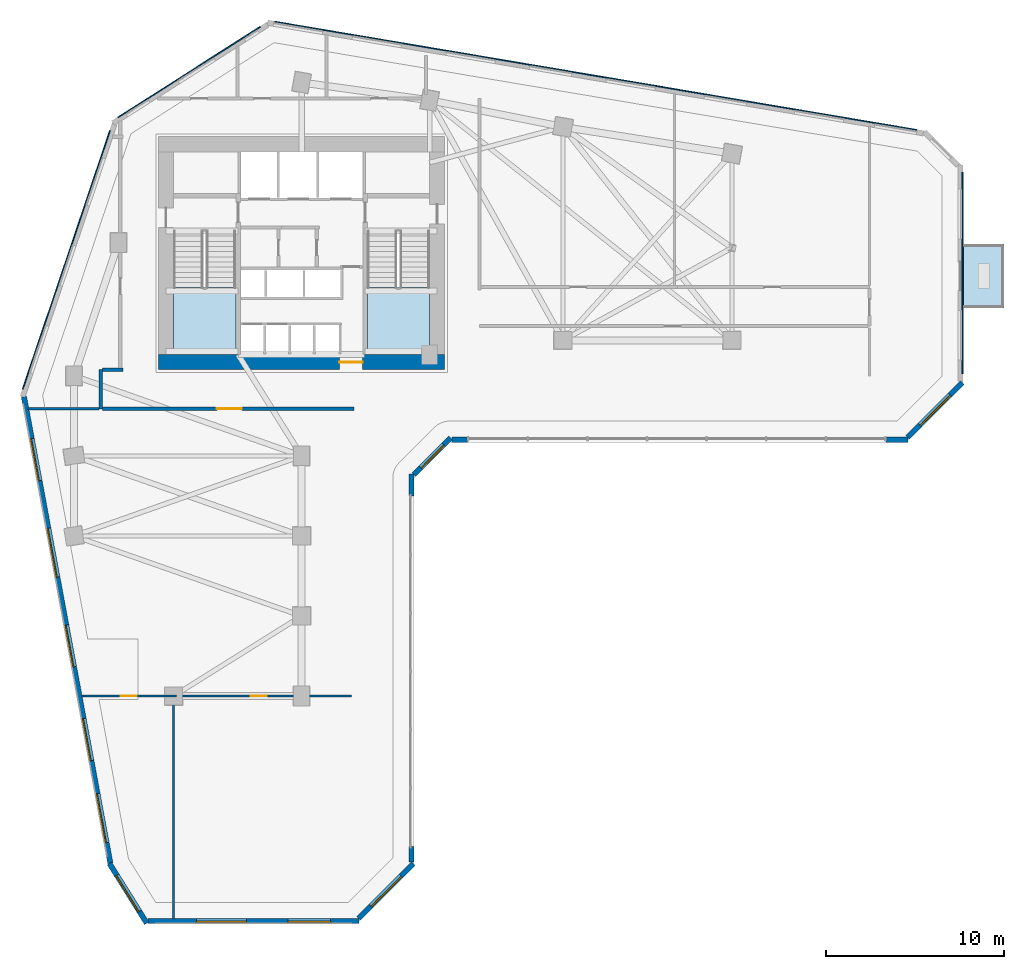
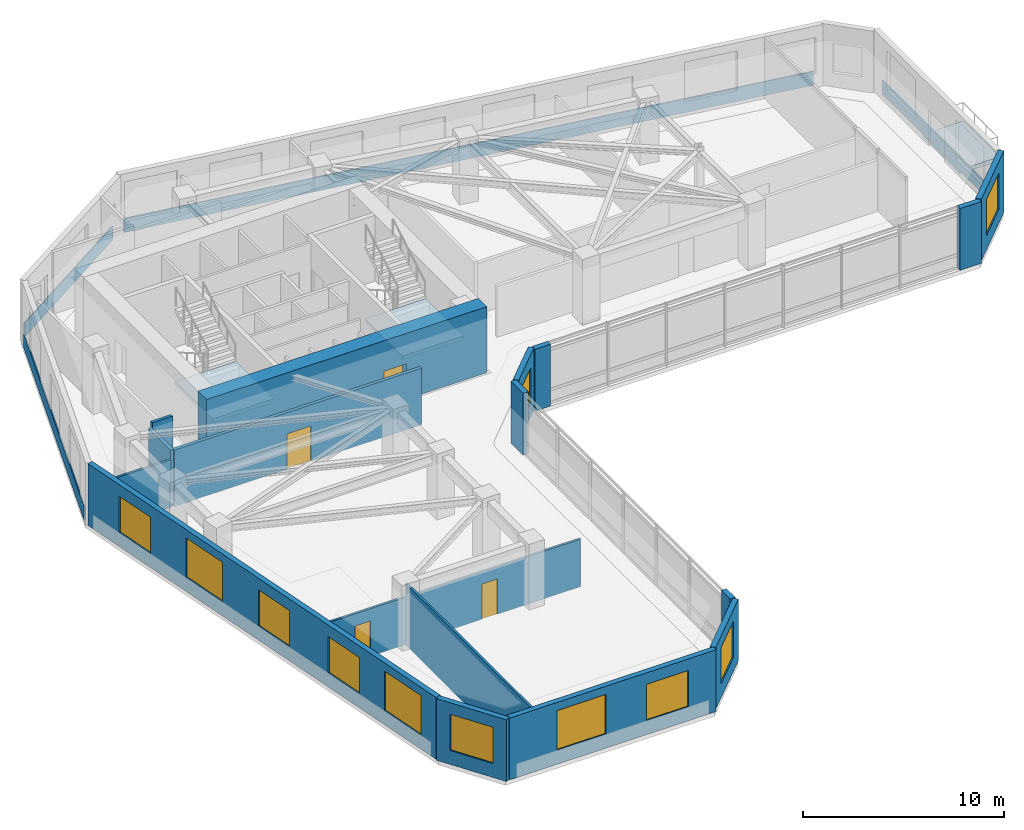
# One storey, part 5 of 11: 18 walls, 11 windows, 4 doors, 4 plates, 3 slabs, 15 openings, 2 elements without a shape of their own.
"""IFC4 building model written with IfcOpenShell, lengths in metres."""

from ifc_helpers import new_model, si_unit, direction, frame, frame_2d, origin, place, context, subcontext, project, spatial, polyline, rectangle, outline, extrude, source, transform, mapped, material, layer, layer_set, type_object, element, fill, aggregate, save


model = new_model("IFC4")

# Units and contexts
model_context = context("Model", 3, precision=1e-05, world=origin(), true_north=direction((0.0, 1.0)))
body_context = subcontext(model_context, "Body", "Model", "MODEL_VIEW")
ifc_project = project(units=[si_unit("LENGTHUNIT", "METRE"), si_unit("AREAUNIT", "SQUARE_METRE"), si_unit("VOLUMEUNIT", "CUBIC_METRE"), si_unit("PLANEANGLEUNIT", "RADIAN"), si_unit("MASSUNIT", "GRAM", prefix="KILO")], contexts=[model_context])

# Site, building, storey
site_placement = place(None, origin())
site = spatial("IfcSite", under=ifc_project, at=site_placement, CompositionType="ELEMENT")
building_placement = place(site_placement, origin())
building = spatial("IfcBuilding", under=site, at=building_placement, Name="Calvemar Wedge Station Tower", CompositionType="ELEMENT")
storey_placement = place(building_placement, frame((0.0, 0.0, 35.0)))
storey = spatial("IfcBuildingStorey", under=building, at=storey_placement, Name="L08", CompositionType="ELEMENT", Elevation=35.0)

# Plates
ifc_material_1 = material(Name="Precast concrete C45", Category="concrete")
ifc_layer_1 = layer(ifc_material_1, 0.06494140625)
ifc_layer_set_1 = layer_set([ifc_layer_1], Name="Precast concrete C45")
plate_type = type_object("IfcPlateType", Name="PL-GFRC-FIN", PredefinedType="USERDEFINED", material=ifc_layer_set_1)
plate_1_placement = place(storey_placement, frame((60.969970703125, 33.1171875, 0.0), z_axis=(0.0, 0.0, 1.0), x_axis=(0.0, 1.0, 0.0)))
element("IfcPlate", 1, at=plate_1_placement, inside=storey, type_object=plate_type, Name="Storey L08 Oxidized-Bronze GFRC Spandrel Cladding 8", ObjectType="CLADDING PANEL", PredefinedType="USERDEFINED", context=body_context, shape_type="SweptSolid", body=[
    extrude(rectangle(XDim=11.330810546875, YDim=0.06494140625, at=frame_2d((5.66552734375, 0.0))), origin(), (0.0, 0.0, 1.0), 0.85009765625),
])
plate_2_placement = place(storey_placement, frame((58.38623046875, 46.8330078125, 0.0), z_axis=(0.0, 0.0, 1.0), x_axis=(-0.98607512962, 0.16630044722, 0.0)))
element("IfcPlate", 2, at=plate_2_placement, inside=storey, type_object=plate_type, Name="Storey L08 Oxidized-Bronze GFRC Spandrel Cladding 10", ObjectType="CLADDING PANEL", PredefinedType="USERDEFINED", context=body_context, shape_type="SweptSolid", body=[
    extrude(rectangle(XDim=36.597412109375, YDim=0.06494140625, at=frame_2d((18.298828125, 0.0))), origin(), (0.0, 0.0, 1.0), 0.85009765625),
])
plate_3_placement = place(storey_placement, frame((21.47314453125, 52.62939453125, 0.0), z_axis=(0.0, 0.0, 1.0), x_axis=(-0.843651948102, -0.536890482747, 0.0)))
element("IfcPlate", 3, at=plate_3_placement, inside=storey, type_object=plate_type, Name="Storey L08 Oxidized-Bronze GFRC Spandrel Cladding 11", ObjectType="CLADDING PANEL", PredefinedType="USERDEFINED", context=body_context, shape_type="SweptSolid", body=[
    extrude(rectangle(XDim=9.484375, YDim=0.06494140625, at=frame_2d((4.7421875, 0.0))), origin(), (0.0, 0.0, 1.0), 0.85009765625),
])
plate_4_placement = place(storey_placement, frame((13.02685546875, 46.793212890625, 0.0), z_axis=(0.0, 0.0, 1.0), x_axis=(-0.319926926958, -0.947442220617, 0.0)))
element("IfcPlate", 4, at=plate_4_placement, inside=storey, type_object=plate_type, Name="Storey L08 Oxidized-Bronze GFRC Spandrel Cladding 12", ObjectType="CLADDING PANEL", PredefinedType="USERDEFINED", context=body_context, shape_type="SweptSolid", body=[
    extrude(rectangle(XDim=15.334716796875, YDim=0.06494140625, at=frame_2d((7.66748046875, 0.0))), origin(), (0.0, 0.0, 1.0), 0.85009765625),
])

# Stair, slab
ifc_material_2 = material(Name="Concrete C45", Category="concrete")
stair_type = type_object("IfcStairType", Name="ST-TYPE-4000", PredefinedType="HALF_TURN_STAIR", material=ifc_material_2)
stair_1_placement = place(storey_placement, origin())
stair_1 = element("IfcStair", 5, at=stair_1_placement, inside=storey, type_object=stair_type, Name="L08 Pressurized Core Exit Stair ST-C1", PredefinedType="HALF_TURN_STAIR")
ifc_layer_2 = layer(ifc_material_2, 0.199951171875)
ifc_layer_set_2 = layer_set([ifc_layer_2], Name="Concrete C45")
slab_type_1 = type_object("IfcSlabType", Name="SL-STAIR-LND-200", PredefinedType="LANDING", material=ifc_layer_set_2)
slab_1_placement = place(storey_placement, frame((0.0, 0.0, 1.800048828125)))
slab_1 = element("IfcSlab", 6, at=slab_1_placement, type_object=slab_type_1, Name="ST-C1 landing 1", PredefinedType="LANDING", context=body_context, shape_type="SweptSolid", body=[
    extrude(outline(polyline([(16.60009765625, 37.9599609375), (16.60009765625, 34.199951171875), (20.10009765625, 34.199951171875), (20.10009765625, 37.9599609375), (16.60009765625, 37.9599609375)])), origin(), (0.0, 0.0, 1.0), 0.199951171875),
])
aggregate(stair_1, [slab_1])

stair_2_placement = place(storey_placement, origin())
stair_2 = element("IfcStair", 7, at=stair_2_placement, inside=storey, type_object=stair_type, Name="L08 Pressurized Core Exit Stair ST-C2", PredefinedType="HALF_TURN_STAIR")
slab_2_placement = place(storey_placement, frame((0.0, 0.0, 1.800048828125)))
slab_2 = element("IfcSlab", 8, at=slab_2_placement, type_object=slab_type_1, Name="ST-C2 landing 1", PredefinedType="LANDING", context=body_context, shape_type="SweptSolid", body=[
    extrude(outline(polyline([(27.5, 37.9599609375), (27.5, 34.199951171875), (31.0, 34.199951171875), (31.0, 37.9599609375), (27.5, 37.9599609375)])), origin(), (0.0, 0.0, 1.0), 0.199951171875),
])
aggregate(stair_2, [slab_2])

# Slab
ifc_layer_3 = layer(ifc_material_2, 0.239990234375)
ifc_layer_set_3 = layer_set([ifc_layer_3], Name="Concrete C45")
slab_type_2 = type_object("IfcSlabType", Name="SL-TERR-240", PredefinedType="FLOOR", material=ifc_layer_set_3)
slab_3_placement = place(storey_placement, frame((0.0, 0.0, -0.239990234375)))
element("IfcSlab", 9, at=slab_3_placement, inside=storey, type_object=slab_type_2, Name="Storey L08 Planted Spiral Terrace Slab", PredefinedType="FLOOR", context=body_context, shape_type="SweptSolid", body=[
    extrude(outline(polyline([(61.0, 36.81005859375), (63.300048828125, 36.81005859375), (63.300048828125, 40.409912109375), (61.0, 40.409912109375), (61.0, 36.81005859375)])), origin(), (0.0, 0.0, 1.0), 0.239990234375),
])

# Wall, opening, door
ifc_material_3 = material(Name="Concrete C80", Category="concrete")
ifc_layer_4 = layer(ifc_material_3, 0.85009765625)
ifc_layer_set_4 = layer_set([ifc_layer_4], Name="Concrete C80")
wall_type_1 = type_object("IfcWallType", Name="SW-CORE-850", PredefinedType="SHEAR", material=ifc_layer_set_4)
wall_1_placement = place(storey_placement, frame((15.75, 33.77490234375, 0.0), z_axis=(0.0, 0.0, 1.0), x_axis=(1.0, 0.0, 0.0)))
wall_1 = element("IfcWall", 10, at=wall_1_placement, inside=storey, type_object=wall_type_1, Name="Storey L08 Core Shear Wall S", PredefinedType="SHEAR", context=body_context, shape_type="SweptSolid", body=[
    extrude(rectangle(XDim=16.10009765625, YDim=0.85009765625, at=frame_2d((8.050048828125, 0.0))), origin(), (0.0, 0.0, 1.0), 4.0),
])
shared_shape_1 = source(origin(), body_context, "Body", "SweptSolid", [
    extrude(rectangle(XDim=1.300048828125, YDim=2.14990234375, at=frame_2d((0.64990234375, 1.074951171875))), frame((0.0, 0.43505859375, 0.0), z_axis=(0.0, -1.0, 0.0), x_axis=(1.0, 0.0, 0.0)), (0.0, 0.0, 1.0), 0.8701171875),
])
opening_1_placement = place(wall_1_placement, frame((10.179931640625, 0.0, 0.0)))
opening_1 = element("IfcOpeningElement", 11, at=opening_1_placement, cuts=wall_1, Name="Opening DD-130", PredefinedType="OPENING", context=body_context, shape_type="MappedRepresentation", body=[
    mapped(shared_shape_1, transform((0.0, 0.0, 0.0), scale=1.0)),
])
ifc_material_4 = material(Name="Double-leaf lift lobby fire door EI 60")
door_type_1 = type_object("IfcDoorType", Name="DR-DBL-1300", OperationType="DOUBLE_DOOR_SINGLE_SWING", PredefinedType="DOOR", material=ifc_material_4)
shared_shape_2 = source(origin(), body_context, "Body", "SweptSolid", [
    extrude(rectangle(XDim=1.300048828125, YDim=2.14990234375, at=frame_2d((0.64990234375, 1.074951171875))), frame((0.0, 0.02490234375, 0.0), z_axis=(0.0, -1.0, 0.0), x_axis=(1.0, 0.0, 0.0)), (0.0, 0.0, 1.0), 0.050048828125),
])
door_1_placement = place(opening_1_placement, origin())
door_1 = element("IfcDoor", 12, at=door_1_placement, inside=storey, type_object=door_type_1, Name="L08 Passenger Lift Lobby Door", OperationType="DOUBLE_DOOR_SINGLE_SWING", OverallHeight=2.14990234375, OverallWidth=1.300048828125, PredefinedType="DOOR", context=body_context, shape_type="MappedRepresentation", body=[
    mapped(shared_shape_2, transform((0.0, 0.0, 0.0), scale=1.0)),
])
fill(opening_1, door_1)

# Walls
ifc_material_5 = material(Name="Double-stud fire-rated corridor partition")
ifc_layer_5 = layer(ifc_material_5, 0.179931640625)
ifc_layer_set_5 = layer_set([ifc_layer_5], Name="Double-stud fire-rated corridor partition")
wall_type_2 = type_object("IfcWallType", Name="W-CORR-180", PredefinedType="PARTITIONING", material=ifc_layer_set_5)
wall_2_placement = place(storey_placement, frame((12.5, 31.14990234375, 0.0), z_axis=(0.0, 0.0, 1.0), x_axis=(0.0, 1.0, 0.0)))
element("IfcWall", 13, at=wall_2_placement, inside=storey, type_object=wall_type_2, Name="Storey L08 Interior Partition WL-L08-006", PredefinedType="PARTITIONING", context=body_context, shape_type="SweptSolid", body=[
    extrude(rectangle(XDim=2.2001953125, YDim=0.179931640625, at=frame_2d((1.10009765625, 0.0))), origin(), (0.0, 0.0, 1.0), 3.43408203125),
])
wall_3_placement = place(storey_placement, frame((12.593994140625, 33.35009765625, 0.0), z_axis=(0.0, 0.0, 1.0), x_axis=(1.0, 0.0, 0.0)))
element("IfcWall", 14, at=wall_3_placement, inside=storey, type_object=wall_type_2, Name="Storey L08 Interior Partition WL-L08-007", PredefinedType="PARTITIONING", context=body_context, shape_type="SweptSolid", body=[
    extrude(rectangle(XDim=1.166015625, YDim=0.179931640625, at=frame_2d((0.5830078125, 0.0))), origin(), (0.0, 0.0, 1.0), 3.75),
])

# Wall, opening, door
wall_4_placement = place(storey_placement, frame((26.760009765625, 31.14990234375, 0.0), z_axis=(0.0, 0.0, 1.0), x_axis=(-1.0, 0.0, 0.0)))
wall_4 = element("IfcWall", 15, at=wall_4_placement, inside=storey, type_object=wall_type_2, Name="Storey L08 Interior Partition WL-L08-008", PredefinedType="PARTITIONING", context=body_context, shape_type="SweptSolid", body=[
    extrude(rectangle(XDim=14.166015625, YDim=0.179931640625, at=frame_2d((7.0830078125, 0.0))), origin(), (0.0, 0.0, 1.0), 3.43408203125),
])
shared_shape_3 = source(origin(), body_context, "Body", "SweptSolid", [
    extrude(rectangle(XDim=1.39990234375, YDim=2.14990234375, at=frame_2d((0.699951171875, 1.074951171875))), frame((0.0, 0.10009765625, 0.0), z_axis=(0.0, -1.0, 0.0), x_axis=(1.0, 0.0, 0.0)), (0.0, 0.0, 1.0), 0.199951171875),
])
opening_2_placement = place(wall_4_placement, frame((6.322509765625, 0.0, 0.0)))
opening_2 = element("IfcOpeningElement", 16, at=opening_2_placement, cuts=wall_4, Name="Opening DD-140", PredefinedType="OPENING", context=body_context, shape_type="MappedRepresentation", body=[
    mapped(shared_shape_3, transform((0.0, 0.0, 0.0), scale=1.0)),
])
ifc_material_6 = material(Name="Double-leaf corridor acoustic fire door EI 60")
door_type_2 = type_object("IfcDoorType", Name="DR-DBL-1400", OperationType="DOUBLE_DOOR_SINGLE_SWING", PredefinedType="DOOR", material=ifc_material_6)
shared_shape_4 = source(origin(), body_context, "Body", "SweptSolid", [
    extrude(rectangle(XDim=1.39990234375, YDim=2.14990234375, at=frame_2d((0.699951171875, 1.074951171875))), frame((0.0, 0.02490234375, 0.0), z_axis=(0.0, -1.0, 0.0), x_axis=(1.0, 0.0, 0.0)), (0.0, 0.0, 1.0), 0.050048828125),
])
door_2_placement = place(opening_2_placement, origin())
door_2 = element("IfcDoor", 17, at=door_2_placement, inside=storey, type_object=door_type_2, Name="L08 Co-Working Studio Door", OperationType="SINGLE_SWING_RIGHT", OverallHeight=2.14990234375, OverallWidth=1.39990234375, PredefinedType="DOOR", context=body_context, shape_type="MappedRepresentation", body=[
    mapped(shared_shape_4, transform((0.0, 0.0, 0.0), scale=1.0)),
])
fill(opening_2, door_2)

# Wall, opening, window
ifc_layer_6 = layer(ifc_material_1, 0.300048828125)
ifc_layer_set_6 = layer_set([ifc_layer_6], Name="Precast concrete C45")
wall_type_3 = type_object("IfcWallType", Name="W-EXT-GFRC-300", PredefinedType="SOLIDWALL", material=ifc_layer_set_6)
wall_5_placement = place(storey_placement, frame((12.99072265625, 5.58251953125, 0.0), z_axis=(0.0, 0.0, 1.0), x_axis=(0.530015557218, -0.847987918019, 0.0)))
wall_5 = element("IfcWall", 18, at=wall_5_placement, inside=storey, type_object=wall_type_3, Name="Storey L08 Bronze GFRC Exterior Wall 1", PredefinedType="SOLIDWALL", context=body_context, shape_type="SweptSolid", body=[
    extrude(rectangle(XDim=3.9619140625, YDim=0.300048828125, at=frame_2d((1.98095703125, 0.0))), origin(), (0.0, 0.0, 1.0), 3.75),
])
shared_shape_5 = source(origin(), body_context, "Body", "SweptSolid", [
    extrude(rectangle(XDim=2.39990234375, YDim=2.199951171875, at=frame_2d((1.199951171875, 1.10009765625))), frame((0.0, 0.16015625, 0.0), z_axis=(0.0, -1.0, 0.0), x_axis=(1.0, 0.0, 0.0)), (0.0, 0.0, 1.0), 0.320068359375),
])
opening_3_placement = place(wall_5_placement, frame((0.781005859375, 0.0, 0.85009765625)))
opening_3 = element("IfcOpeningElement", 19, at=opening_3_placement, cuts=wall_5, Name="Opening W1", PredefinedType="OPENING", context=body_context, shape_type="MappedRepresentation", body=[
    mapped(shared_shape_5, transform((0.0, 0.0, 0.0), scale=1.0)),
])
ifc_material_7 = material(Name="Low-E laminated insulated glass", Category="glass")
window_type_1 = type_object("IfcWindowType", Name="WIN-EXT-1", PartitioningType="SINGLE_PANEL", PredefinedType="WINDOW", material=ifc_material_7)
shared_shape_6 = source(origin(), body_context, "Body", "SweptSolid", [
    extrude(rectangle(XDim=2.39990234375, YDim=2.199951171875, at=frame_2d((1.199951171875, 1.10009765625))), frame((0.0, -0.014892578125, 0.0), z_axis=(0.0, -1.0, 0.0), x_axis=(1.0, 0.0, 0.0)), (0.0, 0.0, 1.0), 0.06005859375),
])
window_1_placement = place(opening_3_placement, origin())
window_1 = element("IfcWindow", 20, at=window_1_placement, inside=storey, type_object=window_type_1, Name="Storey L08 Recessed Window 1.1", OverallHeight=2.199951171875, OverallWidth=2.39990234375, PartitioningType="SINGLE_PANEL", PredefinedType="WINDOW", context=body_context, shape_type="MappedRepresentation", body=[
    mapped(shared_shape_6, transform((0.0, 0.0, 0.0), scale=1.0)),
])
fill(opening_3, window_1)

# Wall, openings, windows
wall_6_placement = place(storey_placement, frame((15.173828125, 2.35009765625, 0.0), z_axis=(0.0, 0.0, 1.0), x_axis=(1.0, 0.0, 0.0)))
wall_6 = element("IfcWall", 21, at=wall_6_placement, inside=storey, type_object=wall_type_3, Name="Storey L08 Bronze GFRC Exterior Wall 2", PredefinedType="SOLIDWALL", context=body_context, shape_type="SweptSolid", body=[
    extrude(rectangle(XDim=11.842041015625, YDim=0.300048828125, at=frame_2d((5.9208984375, 0.0))), origin(), (0.0, 0.0, 1.0), 3.75),
])
shared_shape_7 = source(origin(), body_context, "Body", "SweptSolid", [
    extrude(rectangle(XDim=2.800048828125, YDim=2.39990234375, at=frame_2d((1.39990234375, 1.199951171875))), frame((0.0, 0.16015625, 0.0), z_axis=(0.0, -1.0, 0.0), x_axis=(1.0, 0.0, 0.0)), (0.0, 0.0, 1.0), 0.320068359375),
])
opening_4_placement = place(wall_6_placement, frame((2.715087890625, 0.0, 0.85009765625)))
opening_4 = element("IfcOpeningElement", 22, at=opening_4_placement, cuts=wall_6, Name="Opening W6", PredefinedType="OPENING", context=body_context, shape_type="MappedRepresentation", body=[
    mapped(shared_shape_7, transform((0.0, 0.0, 0.0), scale=1.0)),
])
opening_5_placement = place(wall_6_placement, frame((7.85302734375, 0.0, 0.85009765625)))
opening_5 = element("IfcOpeningElement", 23, at=opening_5_placement, cuts=wall_6, Name="Opening W1", PredefinedType="OPENING", context=body_context, shape_type="MappedRepresentation", body=[
    mapped(shared_shape_5, transform((0.0, 0.0, 0.0), scale=1.0)),
])
window_type_2 = type_object("IfcWindowType", Name="WIN-EXT-6", PartitioningType="SINGLE_PANEL", PredefinedType="WINDOW", material=ifc_material_7)
shared_shape_8 = source(origin(), body_context, "Body", "SweptSolid", [
    extrude(rectangle(XDim=2.800048828125, YDim=2.39990234375, at=frame_2d((1.39990234375, 1.199951171875))), frame((0.0, -0.014892578125, 0.0), z_axis=(0.0, -1.0, 0.0), x_axis=(1.0, 0.0, 0.0)), (0.0, 0.0, 1.0), 0.06005859375),
])
window_2_placement = place(opening_4_placement, origin())
window_2 = element("IfcWindow", 24, at=window_2_placement, inside=storey, type_object=window_type_2, Name="Storey L08 Recessed Window 2.1", OverallHeight=2.39990234375, OverallWidth=2.800048828125, PartitioningType="SINGLE_PANEL", PredefinedType="WINDOW", context=body_context, shape_type="MappedRepresentation", body=[
    mapped(shared_shape_8, transform((0.0, 0.0, 0.0), scale=1.0)),
])
fill(opening_4, window_2)
window_3_placement = place(opening_5_placement, origin())
window_3 = element("IfcWindow", 25, at=window_3_placement, inside=storey, type_object=window_type_1, Name="Storey L08 Recessed Window 2.2", OverallHeight=2.199951171875, OverallWidth=2.39990234375, PartitioningType="SINGLE_PANEL", PredefinedType="WINDOW", context=body_context, shape_type="MappedRepresentation", body=[
    mapped(shared_shape_6, transform((0.0, 0.0, 0.0), scale=1.0)),
])
fill(opening_5, window_3)

# Wall, opening, window
wall_7_placement = place(storey_placement, frame((27.00390625, 2.488037109375, 0.0), z_axis=(0.0, 0.0, 1.0), x_axis=(0.707106781187, 0.707106781187, 0.0)))
wall_7 = element("IfcWall", 26, at=wall_7_placement, inside=storey, type_object=wall_type_3, Name="Storey L08 Bronze GFRC Exterior Wall 3", PredefinedType="SOLIDWALL", context=body_context, shape_type="SweptSolid", body=[
    extrude(rectangle(XDim=4.35595703125, YDim=0.300048828125, at=frame_2d((2.177978515625, 0.0))), origin(), (0.0, 0.0, 1.0), 3.75),
])
opening_6_placement = place(wall_7_placement, frame((0.97802734375, 0.0, 0.85009765625)))
opening_6 = element("IfcOpeningElement", 27, at=opening_6_placement, cuts=wall_7, Name="Opening W1", PredefinedType="OPENING", context=body_context, shape_type="MappedRepresentation", body=[
    mapped(shared_shape_5, transform((0.0, 0.0, 0.0), scale=1.0)),
])
window_4_placement = place(opening_6_placement, origin())
window_4 = element("IfcWindow", 28, at=window_4_placement, inside=storey, type_object=window_type_1, Name="Storey L08 Recessed Window 3.1", OverallHeight=2.199951171875, OverallWidth=2.39990234375, PartitioningType="SINGLE_PANEL", PredefinedType="WINDOW", context=body_context, shape_type="MappedRepresentation", body=[
    mapped(shared_shape_6, transform((0.0, 0.0, 0.0), scale=1.0)),
])
fill(opening_6, window_4)

# Walls
wall_8_placement = place(storey_placement, frame((29.97802734375, 5.6572265625, 0.0), z_axis=(0.0, 0.0, 1.0), x_axis=(0.0, 1.0, 0.0)))
element("IfcWall", 29, at=wall_8_placement, inside=storey, type_object=wall_type_3, Name="Storey L08 Bronze GFRC Corner Pier 4A", PredefinedType="SOLIDWALL", context=body_context, shape_type="SweptSolid", body=[
    extrude(rectangle(XDim=0.8798828125, YDim=0.300048828125, at=frame_2d((0.43994140625, 0.0))), origin(), (0.0, 0.0, 1.0), 3.75),
])
wall_9_placement = place(storey_placement, frame((29.97802734375, 26.2470703125, 0.0), z_axis=(0.0, 0.0, 1.0), x_axis=(0.0, 1.0, 0.0)))
element("IfcWall", 30, at=wall_9_placement, inside=storey, type_object=wall_type_3, Name="Storey L08 Bronze GFRC Corner Pier 4B", PredefinedType="SOLIDWALL", context=body_context, shape_type="SweptSolid", body=[
    extrude(rectangle(XDim=1.22509765625, YDim=0.300048828125, at=frame_2d((0.612548828125, 0.0))), origin(), (0.0, 0.0, 1.0), 3.75),
])

# Wall, opening, window
wall_10_placement = place(storey_placement, frame((30.115966796875, 27.460205078125, 0.0), z_axis=(0.0, 0.0, 1.0), x_axis=(0.707106781187, 0.707106781187, 0.0)))
wall_10 = element("IfcWall", 31, at=wall_10_placement, inside=storey, type_object=wall_type_3, Name="Storey L08 Bronze GFRC Exterior Wall 5", PredefinedType="SOLIDWALL", context=body_context, shape_type="SweptSolid", body=[
    extrude(rectangle(XDim=2.907470703125, YDim=0.300048828125, at=frame_2d((1.45361328125, 0.0))), origin(), (0.0, 0.0, 1.0), 3.75),
])
shared_shape_9 = source(origin(), body_context, "Body", "SweptSolid", [
    extrude(rectangle(XDim=1.800048828125, YDim=2.10009765625, at=frame_2d((0.89990234375, 1.050048828125))), frame((0.0, 0.16015625, 0.0), z_axis=(0.0, -1.0, 0.0), x_axis=(1.0, 0.0, 0.0)), (0.0, 0.0, 1.0), 0.320068359375),
])
opening_7_placement = place(wall_10_placement, frame((0.553955078125, 0.0, 0.85009765625)))
opening_7 = element("IfcOpeningElement", 32, at=opening_7_placement, cuts=wall_10, Name="Opening W2", PredefinedType="OPENING", context=body_context, shape_type="MappedRepresentation", body=[
    mapped(shared_shape_9, transform((0.0, 0.0, 0.0), scale=1.0)),
])
window_type_3 = type_object("IfcWindowType", Name="WIN-EXT-2", PartitioningType="SINGLE_PANEL", PredefinedType="WINDOW", material=ifc_material_7)
shared_shape_10 = source(origin(), body_context, "Body", "SweptSolid", [
    extrude(rectangle(XDim=1.800048828125, YDim=2.10009765625, at=frame_2d((0.89990234375, 1.050048828125))), frame((0.0, -0.014892578125, 0.0), z_axis=(0.0, -1.0, 0.0), x_axis=(1.0, 0.0, 0.0)), (0.0, 0.0, 1.0), 0.06005859375),
])
window_5_placement = place(opening_7_placement, origin())
window_5 = element("IfcWindow", 33, at=window_5_placement, inside=storey, type_object=window_type_3, Name="Storey L08 Recessed Window 5.1", OverallHeight=2.10009765625, OverallWidth=1.800048828125, PartitioningType="SINGLE_PANEL", PredefinedType="WINDOW", context=body_context, shape_type="MappedRepresentation", body=[
    mapped(shared_shape_10, transform((0.0, 0.0, 0.0), scale=1.0)),
])
fill(opening_7, window_5)

# Walls
wall_11_placement = place(storey_placement, frame((32.260986328125, 29.409912109375, 0.0), z_axis=(0.0, 0.0, 1.0), x_axis=(1.0, 0.0, 0.0)))
element("IfcWall", 34, at=wall_11_placement, inside=storey, type_object=wall_type_3, Name="Storey L08 Bronze GFRC Corner Pier 6A", PredefinedType="SOLIDWALL", context=body_context, shape_type="SweptSolid", body=[
    extrude(rectangle(XDim=0.8798828125, YDim=0.300048828125, at=frame_2d((0.43994140625, 0.0))), origin(), (0.0, 0.0, 1.0), 3.75),
])
wall_12_placement = place(storey_placement, frame((56.662841796875, 29.409912109375, 0.0), z_axis=(0.0, 0.0, 1.0), x_axis=(1.0, 0.0, 0.0)))
element("IfcWall", 35, at=wall_12_placement, inside=storey, type_object=wall_type_3, Name="Storey L08 Bronze GFRC Corner Pier 6B", PredefinedType="SOLIDWALL", context=body_context, shape_type="SweptSolid", body=[
    extrude(rectangle(XDim=1.22509765625, YDim=0.300048828125, at=frame_2d((0.612548828125, 0.0))), origin(), (0.0, 0.0, 1.0), 3.75),
])

# Wall, opening, window
wall_13_placement = place(storey_placement, frame((57.8759765625, 29.548095703125, 0.0), z_axis=(0.0, 0.0, 1.0), x_axis=(0.707106781187, 0.707106781187, 0.0)))
wall_13 = element("IfcWall", 36, at=wall_13_placement, inside=storey, type_object=wall_type_3, Name="Storey L08 Bronze GFRC Exterior Wall 7", PredefinedType="SOLIDWALL", context=body_context, shape_type="SweptSolid", body=[
    extrude(rectangle(XDim=4.35595703125, YDim=0.300048828125, at=frame_2d((2.177978515625, 0.0))), origin(), (0.0, 0.0, 1.0), 3.75),
])
opening_8_placement = place(wall_13_placement, frame((0.97802734375, 0.0, 0.85009765625)))
opening_8 = element("IfcOpeningElement", 37, at=opening_8_placement, cuts=wall_13, Name="Opening W1", PredefinedType="OPENING", context=body_context, shape_type="MappedRepresentation", body=[
    mapped(shared_shape_5, transform((0.0, 0.0, 0.0), scale=1.0)),
])
window_6_placement = place(opening_8_placement, origin())
window_6 = element("IfcWindow", 38, at=window_6_placement, inside=storey, type_object=window_type_1, Name="Storey L08 Recessed Window 7.1", OverallHeight=2.199951171875, OverallWidth=2.39990234375, PartitioningType="SINGLE_PANEL", PredefinedType="WINDOW", context=body_context, shape_type="MappedRepresentation", body=[
    mapped(shared_shape_6, transform((0.0, 0.0, 0.0), scale=1.0)),
])
fill(opening_8, window_6)

# Wall, openings, windows
wall_14_placement = place(storey_placement, frame((8.183349609375, 31.83349609375, 0.0), z_axis=(0.0, 0.0, 1.0), x_axis=(0.18216364648, -0.983268226834, 0.0)))
wall_14 = element("IfcWall", 39, at=wall_14_placement, inside=storey, type_object=wall_type_3, Name="Storey L08 Bronze GFRC Exterior Wall 13", PredefinedType="SOLIDWALL", context=body_context, shape_type="SweptSolid", body=[
    extrude(rectangle(XDim=26.678466796875, YDim=0.300048828125, at=frame_2d((13.33935546875, 0.0))), origin(), (0.0, 0.0, 1.0), 3.75),
])
opening_9_placement = place(wall_14_placement, frame((2.40087890625, 0.0, 0.85009765625)))
opening_9 = element("IfcOpeningElement", 40, at=opening_9_placement, cuts=wall_14, Name="Opening W1", PredefinedType="OPENING", context=body_context, shape_type="MappedRepresentation", body=[
    mapped(shared_shape_5, transform((0.0, 0.0, 0.0), scale=1.0)),
])
opening_10_placement = place(wall_14_placement, frame((7.529052734375, 0.0, 0.85009765625)))
opening_10 = element("IfcOpeningElement", 41, at=opening_10_placement, cuts=wall_14, Name="Opening W6", PredefinedType="OPENING", context=body_context, shape_type="MappedRepresentation", body=[
    mapped(shared_shape_7, transform((0.0, 0.0, 0.0), scale=1.0)),
])
opening_11_placement = place(wall_14_placement, frame((13.056884765625, 0.0, 0.85009765625)))
opening_11 = element("IfcOpeningElement", 42, at=opening_11_placement, cuts=wall_14, Name="Opening W1", PredefinedType="OPENING", context=body_context, shape_type="MappedRepresentation", body=[
    mapped(shared_shape_5, transform((0.0, 0.0, 0.0), scale=1.0)),
])
opening_12_placement = place(wall_14_placement, frame((18.410888671875, 0.0, 0.85009765625)))
opening_12 = element("IfcOpeningElement", 43, at=opening_12_placement, cuts=wall_14, Name="Opening W1", PredefinedType="OPENING", context=body_context, shape_type="MappedRepresentation", body=[
    mapped(shared_shape_5, transform((0.0, 0.0, 0.0), scale=1.0)),
])
opening_13_placement = place(wall_14_placement, frame((22.708984375, 0.0, 0.85009765625)))
opening_13 = element("IfcOpeningElement", 44, at=opening_13_placement, cuts=wall_14, Name="Opening W6", PredefinedType="OPENING", context=body_context, shape_type="MappedRepresentation", body=[
    mapped(shared_shape_7, transform((0.0, 0.0, 0.0), scale=1.0)),
])
window_7_placement = place(opening_10_placement, origin())
window_7 = element("IfcWindow", 45, at=window_7_placement, inside=storey, type_object=window_type_2, Name="Storey L08 Recessed Window 13.2", OverallHeight=2.39990234375, OverallWidth=2.800048828125, PartitioningType="SINGLE_PANEL", PredefinedType="WINDOW", context=body_context, shape_type="MappedRepresentation", body=[
    mapped(shared_shape_8, transform((0.0, 0.0, 0.0), scale=1.0)),
])
fill(opening_10, window_7)
window_8_placement = place(opening_13_placement, origin())
window_8 = element("IfcWindow", 46, at=window_8_placement, inside=storey, type_object=window_type_2, Name="Storey L08 Recessed Window 13.5", OverallHeight=2.39990234375, OverallWidth=2.800048828125, PartitioningType="SINGLE_PANEL", PredefinedType="WINDOW", context=body_context, shape_type="MappedRepresentation", body=[
    mapped(shared_shape_8, transform((0.0, 0.0, 0.0), scale=1.0)),
])
fill(opening_13, window_8)
window_9_placement = place(opening_9_placement, origin())
window_9 = element("IfcWindow", 47, at=window_9_placement, inside=storey, type_object=window_type_1, Name="Storey L08 Recessed Window 13.1", OverallHeight=2.199951171875, OverallWidth=2.39990234375, PartitioningType="SINGLE_PANEL", PredefinedType="WINDOW", context=body_context, shape_type="MappedRepresentation", body=[
    mapped(shared_shape_6, transform((0.0, 0.0, 0.0), scale=1.0)),
])
fill(opening_9, window_9)
window_10_placement = place(opening_11_placement, origin())
window_10 = element("IfcWindow", 48, at=window_10_placement, inside=storey, type_object=window_type_1, Name="Storey L08 Recessed Window 13.3", OverallHeight=2.199951171875, OverallWidth=2.39990234375, PartitioningType="SINGLE_PANEL", PredefinedType="WINDOW", context=body_context, shape_type="MappedRepresentation", body=[
    mapped(shared_shape_6, transform((0.0, 0.0, 0.0), scale=1.0)),
])
fill(opening_11, window_10)
window_11_placement = place(opening_12_placement, origin())
window_11 = element("IfcWindow", 49, at=window_11_placement, inside=storey, type_object=window_type_1, Name="Storey L08 Recessed Window 13.4", OverallHeight=2.199951171875, OverallWidth=2.39990234375, PartitioningType="SINGLE_PANEL", PredefinedType="WINDOW", context=body_context, shape_type="MappedRepresentation", body=[
    mapped(shared_shape_6, transform((0.0, 0.0, 0.0), scale=1.0)),
])
fill(opening_12, window_11)

# Wall
ifc_material_8 = material(Name="Insulated acoustic gypsum stud partition")
ifc_layer_7 = layer(ifc_material_8, 0.125)
ifc_layer_set_7 = layer_set([ifc_layer_7], Name="Insulated acoustic gypsum stud partition")
wall_type_4 = type_object("IfcWallType", Name="W-PART-125", PredefinedType="PARTITIONING", material=ifc_layer_set_7)
wall_15_placement = place(storey_placement, frame((12.406005859375, 31.14990234375, 0.0), z_axis=(0.0, 0.0, 1.0), x_axis=(-1.0, 0.0, 0.0)))
element("IfcWall", 50, at=wall_15_placement, inside=storey, type_object=wall_type_4, Name="Storey L08 Interior Partition WL-L08-016", PredefinedType="PARTITIONING", context=body_context, shape_type="SweptSolid", body=[
    extrude(rectangle(XDim=3.97900390625, YDim=0.125, at=frame_2d((1.989501953125, 0.0))), origin(), (0.0, 0.0, 1.0), 2.89208984375),
])

# Wall, opening, door
wall_16_placement = place(storey_placement, frame((16.760009765625, 15.0, 0.0), z_axis=(0.0, 0.0, 1.0), x_axis=(-1.0, 0.0, 0.0)))
wall_16 = element("IfcWall", 51, at=wall_16_placement, inside=storey, type_object=wall_type_4, Name="Storey L08 Interior Partition WL-L08-026", PredefinedType="PARTITIONING", context=body_context, shape_type="SweptSolid", body=[
    extrude(rectangle(XDim=5.341064453125, YDim=0.125, at=frame_2d((2.67041015625, 0.0))), origin(), (0.0, 0.0, 1.0), 2.89208984375),
])
shared_shape_11 = source(origin(), body_context, "Body", "SweptSolid", [
    extrude(rectangle(XDim=0.89990234375, YDim=2.14990234375, at=frame_2d((0.449951171875, 1.074951171875))), frame((0.0, 0.072509765625, 0.0), z_axis=(0.0, -1.0, 0.0), x_axis=(1.0, 0.0, 0.0)), (0.0, 0.0, 1.0), 0.14501953125),
])
opening_14_placement = place(wall_16_placement, frame((2.220458984375, 0.0, 0.0)))
opening_14 = element("IfcOpeningElement", 52, at=opening_14_placement, cuts=wall_16, Name="Opening D-01", PredefinedType="OPENING", context=body_context, shape_type="MappedRepresentation", body=[
    mapped(shared_shape_11, transform((0.0, 0.0, 0.0), scale=1.0)),
])
ifc_material_9 = material(Name="Architectural hardwood acoustic swing door", Category="wood")
door_type_3 = type_object("IfcDoorType", Name="DR-INT-900", OperationType="NOTDEFINED", PredefinedType="DOOR", material=ifc_material_9)
shared_shape_12 = source(origin(), body_context, "Body", "SweptSolid", [
    extrude(rectangle(XDim=0.89990234375, YDim=2.14990234375, at=frame_2d((0.449951171875, 1.074951171875))), frame((0.0, 0.02490234375, 0.0), z_axis=(0.0, -1.0, 0.0), x_axis=(1.0, 0.0, 0.0)), (0.0, 0.0, 1.0), 0.050048828125),
])
door_3_placement = place(opening_14_placement, origin())
door_3 = element("IfcDoor", 53, at=door_3_placement, inside=storey, type_object=door_type_3, Name="L08 Meeting Room Door", OperationType="SINGLE_SWING_LEFT", OverallHeight=2.14990234375, OverallWidth=0.89990234375, PredefinedType="DOOR", context=body_context, shape_type="MappedRepresentation", body=[
    mapped(shared_shape_12, transform((0.0, 0.0, 0.0), scale=1.0)),
])
fill(opening_14, door_3)

wall_17_placement = place(storey_placement, frame((26.60009765625, 15.0, 0.0), z_axis=(0.0, 0.0, 1.0), x_axis=(-1.0, 0.0, 0.0)))
wall_17 = element("IfcWall", 54, at=wall_17_placement, inside=storey, type_object=wall_type_4, Name="Storey L08 Interior Partition WL-L08-027", PredefinedType="PARTITIONING", context=body_context, shape_type="SweptSolid", body=[
    extrude(rectangle(XDim=9.838134765625, YDim=0.125, at=frame_2d((4.9189453125, 0.0))), origin(), (0.0, 0.0, 1.0), 2.89208984375),
])
opening_15_placement = place(wall_17_placement, frame((4.772705078125, 0.0, 0.0)))
opening_15 = element("IfcOpeningElement", 55, at=opening_15_placement, cuts=wall_17, Name="Opening D-01", PredefinedType="OPENING", context=body_context, shape_type="MappedRepresentation", body=[
    mapped(shared_shape_11, transform((0.0, 0.0, 0.0), scale=1.0)),
])
door_4_placement = place(opening_15_placement, origin())
door_4 = element("IfcDoor", 56, at=door_4_placement, inside=storey, type_object=door_type_3, Name="L08 Office Door", OperationType="SINGLE_SWING_RIGHT", OverallHeight=2.14990234375, OverallWidth=0.89990234375, PredefinedType="DOOR", context=body_context, shape_type="MappedRepresentation", body=[
    mapped(shared_shape_12, transform((0.0, 0.0, 0.0), scale=1.0)),
])
fill(opening_15, door_4)

# Wall
wall_18_placement = place(storey_placement, frame((16.60009765625, 14.93359375, 0.0), z_axis=(0.0, 0.0, 1.0), x_axis=(0.0, -1.0, 0.0)))
element("IfcWall", 57, at=wall_18_placement, inside=storey, type_object=wall_type_4, Name="Storey L08 Interior Partition WL-L08-028", PredefinedType="PARTITIONING", context=body_context, shape_type="SweptSolid", body=[
    extrude(rectangle(XDim=12.468505859375, YDim=0.125, at=frame_2d((6.234375, 0.0))), origin(), (0.0, 0.0, 1.0), 3.75),
])

save(model, "model.ifc")
